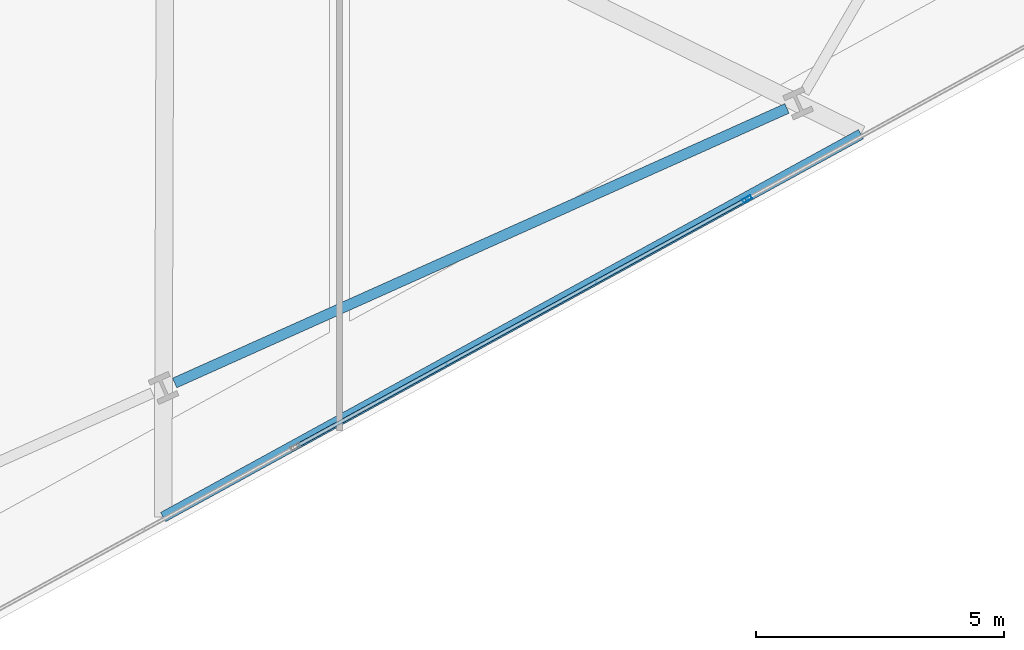
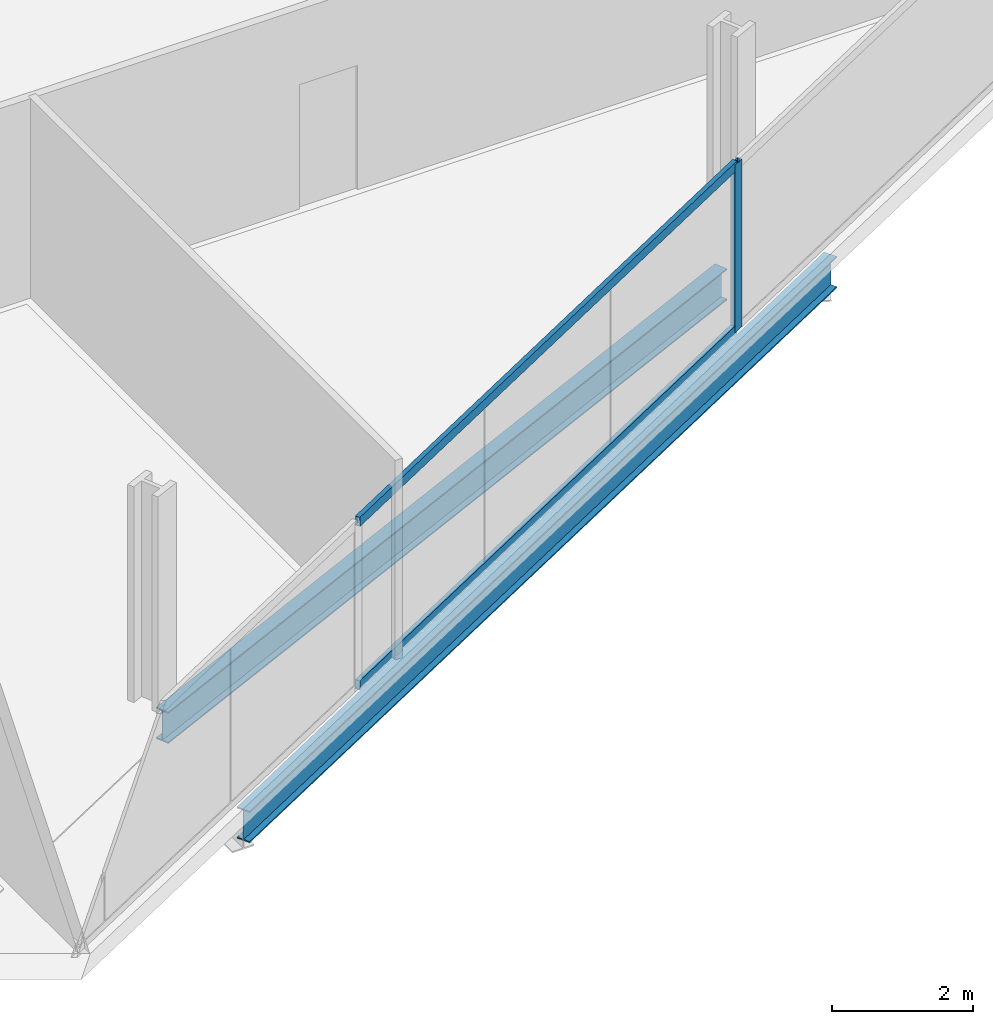
# One storey, part 8 of 33: 3 members, 2 beams, 1 element without a shape of its own.
"""IFC4 building model written with IfcOpenShell, lengths in metres."""

from ifc_helpers import new_model, si_unit, direction, frame, origin, origin_2d, place, context, subcontext, project, spatial, hollow_rectangle, i_section, extrude, material, material_profile, profile_set, type_object, element, aggregate, save


model = new_model("IFC4")

# Units and contexts
model_context = context("Model", 3, precision=1e-05, world=origin(), true_north=direction((0.0, 1.0)))
body_context = subcontext(model_context, "Body", "Model", "MODEL_VIEW")
ifc_project = project(units=[si_unit("LENGTHUNIT", "METRE"), si_unit("AREAUNIT", "SQUARE_METRE"), si_unit("VOLUMEUNIT", "CUBIC_METRE"), si_unit("PLANEANGLEUNIT", "RADIAN"), si_unit("MASSUNIT", "GRAM", prefix="KILO")], contexts=[model_context])

# Site, building, storey
site_placement = place(None, origin())
site = spatial("IfcSite", under=ifc_project, at=site_placement, CompositionType="ELEMENT")
building_placement = place(site_placement, origin())
building = spatial("IfcBuilding", under=site, at=building_placement, Name="Haldenkirk Collegiate Tower", CompositionType="ELEMENT")
storey_placement = place(building_placement, frame((0.0, 0.0, 124.199951171875)))
storey = spatial("IfcBuildingStorey", under=building, at=storey_placement, Name="L30", CompositionType="ELEMENT", Elevation=124.199951171875)

# Beams
ifc_material_1 = material(Name="Steel ASTM A992 Grade 50", Category="steel")
ifc_material_profile_1 = material_profile(ifc_material_1, i_section(OverallWidth=0.2119140625, OverallDepth=0.5439453125, WebThickness=0.01318359375, FlangeThickness=0.021240234375, at=origin_2d()), Name="W21X83")
ifc_profile_set_1 = profile_set([ifc_material_profile_1], Name="Steel ASTM A992 Grade 50")
beam_type = type_object("IfcBeamType", Name="BM-SPANDREL-W21X83", PredefinedType="SPANDREL", material=ifc_profile_set_1)
beam_1_placement = place(storey_placement, frame((45.183837890625, 6.1171875, -0.572021484375), z_axis=(0.912476765144, 0.409128528793, 0.0), x_axis=(-0.409128528793, 0.912476765144, 0.0)))
element("IfcBeam", 1, at=beam_1_placement, inside=storey, type_object=beam_type, Name="L30 perimeter spandrel beam 03", PredefinedType="SPANDREL", context=body_context, shape_type="SweptSolid", body=[
    extrude(i_section(OverallWidth=0.2119140625, OverallDepth=0.5439453125, WebThickness=0.01318359375, FlangeThickness=0.021240234375, at=origin_2d()), origin(), (0.0, 0.0, 1.0), 13.512939453125),
])
beam_2_placement = place(storey_placement, frame((44.951171875, 3.41650390625, -0.572021484375), z_axis=(0.876725177191, 0.480991646164, 0.0), x_axis=(-0.480991646164, 0.876725177191, 0.0)))
element("IfcBeam", 2, at=beam_2_placement, inside=storey, type_object=beam_type, Name="L30 outer facade edge beam 1", PredefinedType="SPANDREL", context=body_context, shape_type="SweptSolid", body=[
    extrude(i_section(OverallWidth=0.2119140625, OverallDepth=0.5439453125, WebThickness=0.01318359375, FlangeThickness=0.021240234375, at=origin_2d()), origin(), (0.0, 0.0, 1.0), 16.02734375),
])

# Curtain wall, members
ifc_material_2 = material(Name="Anodised architectural bronze aluminium", Category="aluminium")
curtain_wall_type = type_object("IfcCurtainWallType", Name="CW-SYS2-CONCAVE", PredefinedType="USERDEFINED", material=ifc_material_2)
curtain_wall_placement = place(storey_placement, origin())
curtain_wall = element("IfcCurtainWall", 3, at=curtain_wall_placement, inside=storey, type_object=curtain_wall_type, Name="L30 South concave recessed bronze-anodised curtain wall", ObjectType="UNITISED CURTAIN WALL", PredefinedType="USERDEFINED")
ifc_material_profile_2 = material_profile(ifc_material_2, hollow_rectangle(XDim=0.074951171875, YDim=0.18994140625, WallThickness=0.0048828125, at=origin_2d()), Name="CW-MUL-02")
ifc_profile_set_2 = profile_set([ifc_material_profile_2], Name="Anodised architectural bronze aluminium")
member_type_1 = type_object("IfcMemberType", Name="CW-MUL-02", PredefinedType="MULLION", material=ifc_profile_set_2)
member_1_placement = place(storey_placement, frame((56.70947265625, 9.821533203125, 0.0), z_axis=(0.0, 0.0, 1.0), x_axis=(0.480988754199, -0.876726763783, 0.0)))
member_1 = element("IfcMember", 4, at=member_1_placement, type_object=member_type_1, Name="CW-02 mullion 2", PredefinedType="MULLION", context=body_context, shape_type="SweptSolid", body=[
    extrude(hollow_rectangle(XDim=0.074951171875, YDim=0.18994140625, WallThickness=0.0048828125, at=origin_2d()), origin(), (0.0, 0.0, 1.0), 2.901123046875),
])
ifc_material_profile_3 = material_profile(ifc_material_2, hollow_rectangle(XDim=0.074951171875, YDim=0.159912109375, WallThickness=0.0048828125, at=origin_2d()), Name="CW-TRN-02")
ifc_profile_set_3 = profile_set([ifc_material_profile_3], Name="Anodised architectural bronze aluminium")
member_type_2 = type_object("IfcMemberType", Name="CW-TRN-02", PredefinedType="USERDEFINED", material=ifc_profile_set_3)
member_2_placement = place(storey_placement, frame((56.676513671875, 9.8037109375, 0.03759765625), z_axis=(-0.876719875597, -0.481001309492, 0.0), x_axis=(0.481001309492, -0.876719875597, 0.0)))
member_2 = element("IfcMember", 5, at=member_2_placement, type_object=member_type_2, Name="CW-02 transom 2.1", ObjectType="TRANSOM", PredefinedType="USERDEFINED", context=body_context, shape_type="SweptSolid", body=[
    extrude(hollow_rectangle(XDim=0.074951171875, YDim=0.159912109375, WallThickness=0.0048828125, at=origin_2d()), origin(), (0.0, 0.0, 1.0), 10.300048828125),
])
member_3_placement = place(storey_placement, frame((56.676513671875, 9.8037109375, 2.863525390625), z_axis=(-0.876719875597, -0.481001309492, 0.0), x_axis=(0.481001309492, -0.876719875597, 0.0)))
member_3 = element("IfcMember", 6, at=member_3_placement, type_object=member_type_2, Name="CW-02 transom 2.2", ObjectType="TRANSOM", PredefinedType="USERDEFINED", context=body_context, shape_type="SweptSolid", body=[
    extrude(hollow_rectangle(XDim=0.074951171875, YDim=0.159912109375, WallThickness=0.0048828125, at=origin_2d()), origin(), (0.0, 0.0, 1.0), 10.300048828125),
])
aggregate(curtain_wall, [member_1, member_2, member_3])

save(model, "model.ifc")
